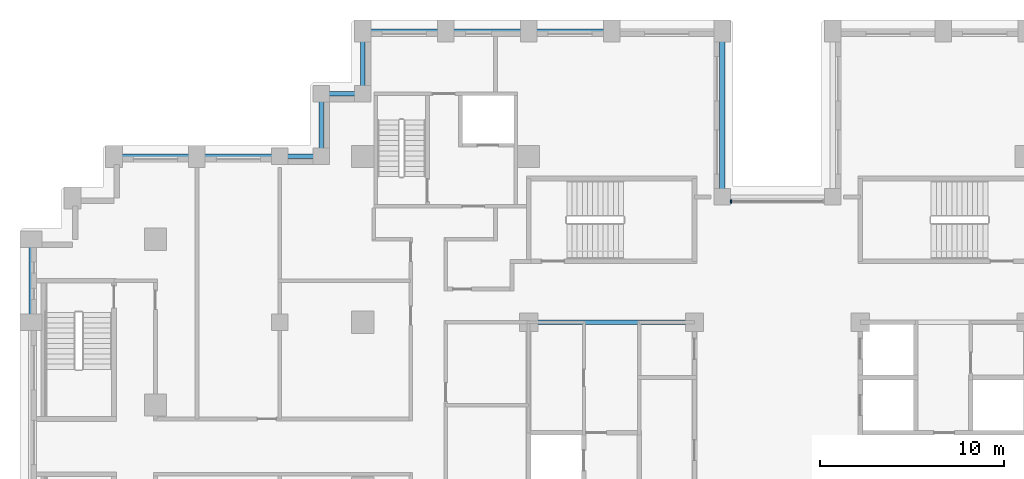
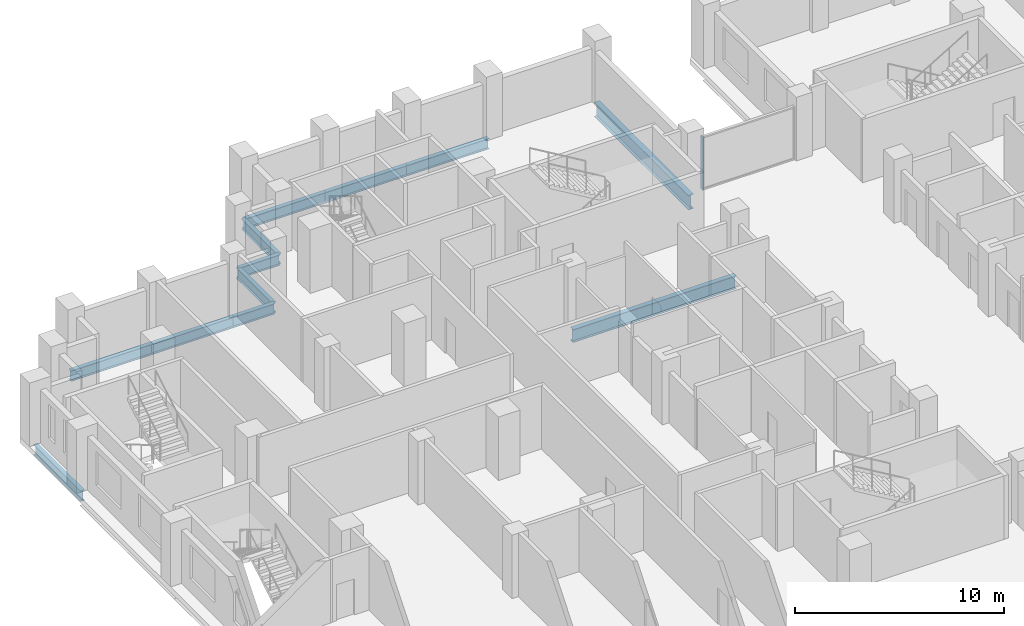
# One storey, part 3 of 15: 12 beams, 1 member, 1 element without a shape of its own.
"""IFC4 building model written with IfcOpenShell, lengths in metres."""

from ifc_helpers import new_model, si_unit, direction, frame, origin, origin_2d, place, context, subcontext, project, spatial, rectangle, i_section, extrude, material, layer, layer_set, material_profile, profile_set, type_object, element, aggregate, save


model = new_model("IFC4")

# Units and contexts
model_context = context("Model", 3, precision=1e-05, world=origin(), true_north=direction((0.0, 1.0)))
body_context = subcontext(model_context, "Body", "Model", "MODEL_VIEW")
ifc_project = project(units=[si_unit("LENGTHUNIT", "METRE"), si_unit("AREAUNIT", "SQUARE_METRE"), si_unit("VOLUMEUNIT", "CUBIC_METRE"), si_unit("PLANEANGLEUNIT", "RADIAN"), si_unit("MASSUNIT", "GRAM", prefix="KILO")], contexts=[model_context])

# Site, building, storey
site_placement = place(None, origin())
site = spatial("IfcSite", under=ifc_project, at=site_placement, CompositionType="ELEMENT")
building_placement = place(site_placement, origin())
building = spatial("IfcBuilding", under=site, at=building_placement, Name="Corbelhall Arena Tower", CompositionType="ELEMENT")
storey_placement = place(building_placement, frame((0.0, 0.0, 96.0)))
storey = spatial("IfcBuildingStorey", under=building, at=storey_placement, Name="L16", CompositionType="ELEMENT", Elevation=96.0)

# Curtain wall, member
ifc_material_1 = material(Name="Aluminium black anodised", Category="aluminium")
ifc_layer = layer(ifc_material_1, 0.199951171875)
ifc_layer_set = layer_set([ifc_layer], Name="EV-CW1 Slot back wall")
curtain_wall_type = type_object("IfcCurtainWallType", Name="EV-CW1 Slot back wall", PredefinedType="NOTDEFINED", material=ifc_layer_set)
curtain_wall_placement = place(storey_placement, origin())
curtain_wall = element("IfcCurtainWall", 1, at=curtain_wall_placement, inside=storey, type_object=curtain_wall_type, Name="Curtain wall CW1", PredefinedType="NOTDEFINED")
ifc_material_profile_1 = material_profile(ifc_material_1, rectangle(XDim=0.199951171875, YDim=0.074951171875, at=origin_2d()))
ifc_profile_set_1 = profile_set([ifc_material_profile_1], Name="Aluminium black anodised")
member_type = type_object("IfcMemberType", Name="EV-CW1-MULLION", PredefinedType="MULLION", material=ifc_profile_set_1)
member_placement = place(storey_placement, frame((-2.512451171875, 15.550048828125, 0.0), z_axis=(0.0, 0.0, 1.0), x_axis=(0.0, -1.0, 0.0)))
member = element("IfcMember", 2, at=member_placement, type_object=member_type, Name="CW1 mullion 2", PredefinedType="MULLION", context=body_context, shape_type="SweptSolid", body=[
    extrude(rectangle(XDim=0.199951171875, YDim=0.074951171875, at=origin_2d()), origin(), (0.0, 0.0, 1.0), 3.10009765625),
])
aggregate(curtain_wall, [member])

# Beams
ifc_material_2 = material(Name="Steel ASTM A992 Gr50", Category="steel")
ifc_material_profile_2 = material_profile(ifc_material_2, i_section(OverallWidth=0.2666015625, OverallDepth=0.761962890625, WebThickness=0.014404296875, FlangeThickness=0.021484375, at=origin_2d()))
ifc_profile_set_2 = profile_set([ifc_material_profile_2], Name="Steel ASTM A992 Gr50")
beam_type_1 = type_object("IfcBeamType", Name="ST-BEAM-W30x116", PredefinedType="BEAM", material=ifc_profile_set_2)
beam_1_placement = place(storey_placement, frame((-13.5, 9.0, -0.680908203125), z_axis=(1.0, 0.0, 0.0), x_axis=(0.0, 1.0, 0.0)))
element("IfcBeam", 3, at=beam_1_placement, inside=storey, type_object=beam_type_1, Name="Beam CEW 6", PredefinedType="BEAM", context=body_context, shape_type="SweptSolid", body=[
    extrude(i_section(OverallWidth=0.2666015625, OverallDepth=0.761962890625, WebThickness=0.014404296875, FlangeThickness=0.021484375, at=origin_2d()), origin(), (0.0, 0.0, 1.0), 9.0),
])
ifc_material_profile_3 = material_profile(ifc_material_2, i_section(OverallWidth=0.23046875, OverallDepth=0.6171875, WebThickness=0.01318359375, FlangeThickness=0.022216796875, at=origin_2d()))
ifc_profile_set_3 = profile_set([ifc_material_profile_3], Name="Steel ASTM A992 Gr50")
beam_type_2 = type_object("IfcBeamType", Name="ST-SPANDREL-W24x94", PredefinedType="SPANDREL", material=ifc_profile_set_3)
for number, where, z_axis, x_axis, name in (
    (4, (-40.5, 9.0, -0.608642578125), (0.0, 1.0, 0.0), (-1.0, 0.0, 0.0), "Beam SP 2"),
    (5, (-31.5, 18.0, -0.608642578125), (1.0, 0.0, 0.0), (0.0, 1.0, 0.0), "Beam SP 5"),
    (6, (-36.0, 18.0, -0.608642578125), (1.0, 0.0, 0.0), (0.0, 1.0, 0.0), "Beam SP 6"),
    (7, (-13.5, 24.800048828125, -0.608642578125), (1.0, 0.0, 0.0), (0.0, 1.0, 0.0), "Beam SP 24"),
    (8, (-18.0, 24.800048828125, -0.608642578125), (1.0, 0.0, 0.0), (0.0, 1.0, 0.0), "Beam SP 25"),
    (9, (-22.5, 24.800048828125, -0.608642578125), (1.0, 0.0, 0.0), (0.0, 1.0, 0.0), "Beam SP 26"),
):
    element("IfcBeam", number, at=place(storey_placement, frame(where, z_axis=z_axis, x_axis=x_axis)), inside=storey, type_object=beam_type_2, Name=name, PredefinedType="SPANDREL", context=body_context, shape_type="SweptSolid", body=[
        extrude(i_section(OverallWidth=0.23046875, OverallDepth=0.6171875, WebThickness=0.01318359375, FlangeThickness=0.022216796875, at=origin_2d()), origin(), (0.0, 0.0, 1.0), 4.5),
    ])
beam_2_placement = place(storey_placement, frame((-27.0, 18.0, -0.608642578125), z_axis=(1.0, 0.0, 0.0), x_axis=(0.0, 1.0, 0.0)))
element("IfcBeam", 10, at=beam_2_placement, inside=storey, type_object=beam_type_2, Name="Beam SP 37", PredefinedType="SPANDREL", context=body_context, shape_type="SweptSolid", body=[
    extrude(i_section(OverallWidth=0.23046875, OverallDepth=0.6171875, WebThickness=0.01318359375, FlangeThickness=0.022216796875, at=origin_2d()), origin(), (0.0, 0.0, 1.0), 2.25),
])
beam_3_placement = place(storey_placement, frame((-22.5, 21.39990234375, -0.608642578125), z_axis=(0.0, 1.0, 0.0), x_axis=(-1.0, 0.0, 0.0)))
element("IfcBeam", 11, at=beam_3_placement, inside=storey, type_object=beam_type_2, Name="Beam SP 46", PredefinedType="SPANDREL", context=body_context, shape_type="SweptSolid", body=[
    extrude(i_section(OverallWidth=0.23046875, OverallDepth=0.6171875, WebThickness=0.01318359375, FlangeThickness=0.022216796875, at=origin_2d()), origin(), (0.0, 0.0, 1.0), 3.400146484375),
])
beam_4_placement = place(storey_placement, frame((-24.75, 21.39990234375, -0.608642578125), z_axis=(1.0, 0.0, 0.0), x_axis=(0.0, 1.0, 0.0)))
element("IfcBeam", 12, at=beam_4_placement, inside=storey, type_object=beam_type_2, Name="Beam SP 47", PredefinedType="SPANDREL", context=body_context, shape_type="SweptSolid", body=[
    extrude(i_section(OverallWidth=0.23046875, OverallDepth=0.6171875, WebThickness=0.01318359375, FlangeThickness=0.022216796875, at=origin_2d()), origin(), (0.0, 0.0, 1.0), 2.25),
])
beam_5_placement = place(storey_placement, frame((-24.75, 18.0, -0.608642578125), z_axis=(0.0, 1.0, 0.0), x_axis=(-1.0, 0.0, 0.0)))
element("IfcBeam", 13, at=beam_5_placement, inside=storey, type_object=beam_type_2, Name="Beam SP 48", PredefinedType="SPANDREL", context=body_context, shape_type="SweptSolid", body=[
    extrude(i_section(OverallWidth=0.23046875, OverallDepth=0.6171875, WebThickness=0.01318359375, FlangeThickness=0.022216796875, at=origin_2d()), origin(), (0.0, 0.0, 1.0), 3.39990234375),
])
ifc_material_profile_4 = material_profile(ifc_material_2, i_section(OverallWidth=0.2919921875, OverallDepth=0.845703125, WebThickness=0.015380859375, FlangeThickness=0.0244140625, at=origin_2d()))
ifc_profile_set_4 = profile_set([ifc_material_profile_4], Name="Steel ASTM A992 Gr50")
beam_type_3 = type_object("IfcBeamType", Name="ST-SPANDREL-W33x141", PredefinedType="SPANDREL", material=ifc_profile_set_4)
beam_6_placement = place(storey_placement, frame((-3.0, 24.800048828125, -0.722900390625), z_axis=(0.0, -1.0, 0.0), x_axis=(1.0, 0.0, 0.0)))
element("IfcBeam", 14, at=beam_6_placement, inside=storey, type_object=beam_type_3, Name="Beam SP 22", PredefinedType="SPANDREL", context=body_context, shape_type="SweptSolid", body=[
    extrude(i_section(OverallWidth=0.2919921875, OverallDepth=0.845703125, WebThickness=0.015380859375, FlangeThickness=0.0244140625, at=origin_2d()), origin(), (0.0, 0.0, 1.0), 9.0),
])

save(model, "model.ifc")
